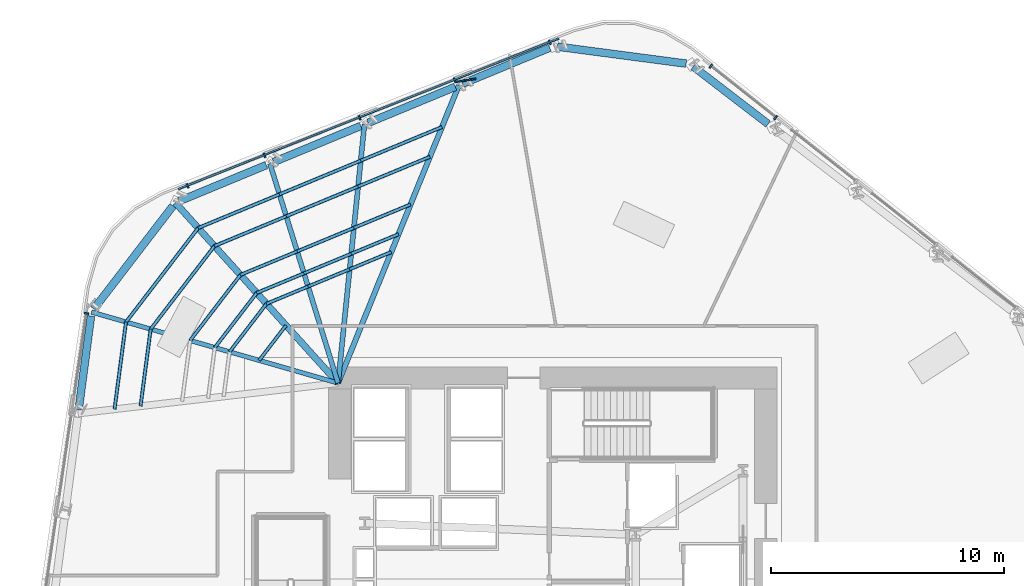
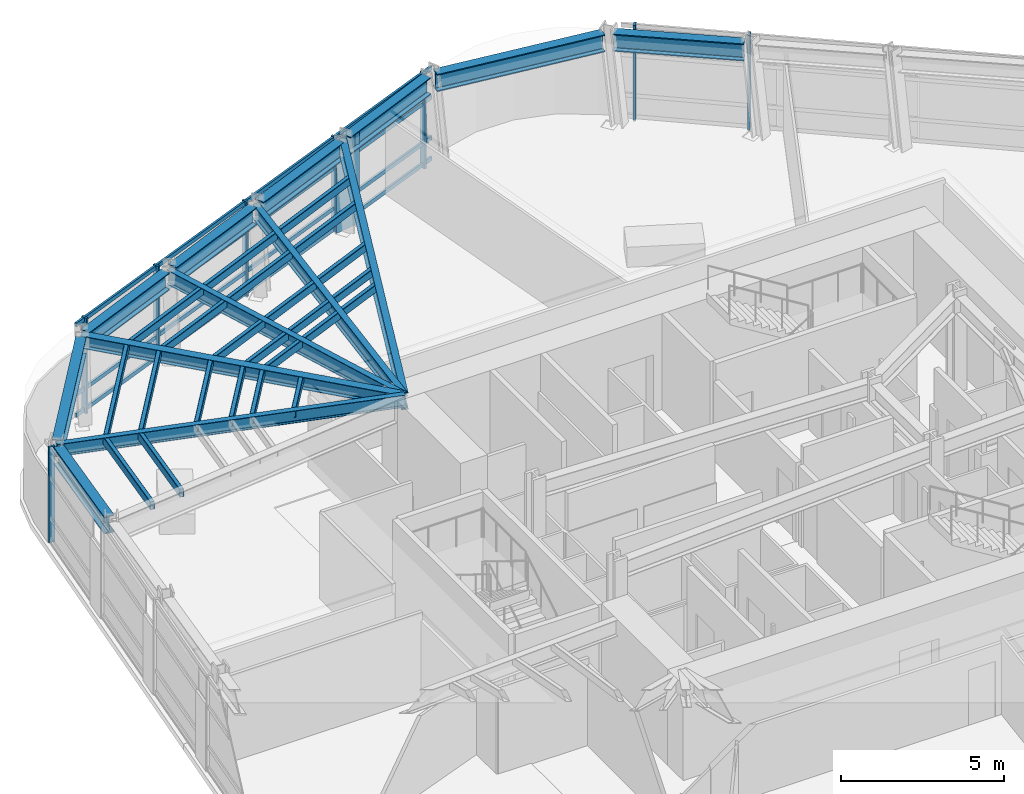
# One storey, part 5 of 17: 36 members, 13 beams, 3 elements without a shape of their own.
"""IFC4 building model written with IfcOpenShell, lengths in metres."""

from ifc_helpers import new_model, si_unit, direction, frame, origin, origin_2d, place, context, subcontext, project, spatial, rectangle, hollow_rectangle, i_section, extrude, material, layer, layer_set, material_profile, profile_set, type_object, element, aggregate, save


model = new_model("IFC4")

# Units and contexts
model_context = context("Model", 3, precision=1e-05, world=origin(), true_north=direction((0.0, 1.0)))
body_context = subcontext(model_context, "Body", "Model", "MODEL_VIEW")
ifc_project = project(units=[si_unit("LENGTHUNIT", "METRE"), si_unit("AREAUNIT", "SQUARE_METRE"), si_unit("VOLUMEUNIT", "CUBIC_METRE"), si_unit("PLANEANGLEUNIT", "RADIAN"), si_unit("MASSUNIT", "GRAM", prefix="KILO")], contexts=[model_context])

# Site, building, storey
site_placement = place(None, origin())
site = spatial("IfcSite", under=ifc_project, at=site_placement, CompositionType="ELEMENT")
building_placement = place(site_placement, origin())
building = spatial("IfcBuilding", under=site, at=building_placement, Name="Valkerne Bourse Tower", CompositionType="ELEMENT")
storey_placement = place(building_placement, frame((0.0, 0.0, 116.199951171875)))
storey = spatial("IfcBuildingStorey", under=building, at=storey_placement, Name="L29", CompositionType="ELEMENT", Elevation=116.199951171875)

# Beams
ifc_material_1 = material(Name="Steel ASTM A992", Category="steel")
ifc_material_profile_1 = material_profile(ifc_material_1, i_section(OverallWidth=0.1904296875, OverallDepth=0.457275390625, WebThickness=0.009033203125, FlangeThickness=0.014404296875, FilletRadius=0.01513671875, at=origin_2d()), Name="W18X50")
ifc_profile_set_1 = profile_set([ifc_material_profile_1], Name="Steel ASTM A992")
beam_type_1 = type_object("IfcBeamType", Name="BM-W18X50", PredefinedType="JOIST", material=ifc_profile_set_1)
beam_1_placement = place(storey_placement, frame((27.036865234375, 38.443603515625, 3.3515625), z_axis=(0.960905552378, -0.276876361234, 0.0), x_axis=(0.276876361234, 0.960905552378, 0.0)))
element("IfcBeam", 1, at=beam_1_placement, inside=storey, type_object=beam_type_1, Name="L29 Radial Composite Floor Beam 10", PredefinedType="JOIST", context=body_context, shape_type="SweptSolid", body=[
    extrude(i_section(OverallWidth=0.1904296875, OverallDepth=0.457275390625, WebThickness=0.009033203125, FlangeThickness=0.014404296875, FilletRadius=0.01513671875, at=origin_2d()), origin(), (0.0, 0.0, 1.0), 10.992919921875),
])
ifc_material_profile_2 = material_profile(ifc_material_1, i_section(OverallWidth=0.279296875, OverallDepth=0.46240234375, WebThickness=0.0107421875, FlangeThickness=0.017333984375, FilletRadius=0.017822265625, at=origin_2d()), Name="W18X76")
ifc_profile_set_2 = profile_set([ifc_material_profile_2], Name="Steel ASTM A992")
beam_type_2 = type_object("IfcBeamType", Name="BM-W18X76", PredefinedType="BEAM", material=ifc_profile_set_2)
beam_2_placement = place(storey_placement, frame((30.63134765625, 43.1279296875, 3.348876953125), z_axis=(0.669682520081, -0.742647508781, 0.0), x_axis=(0.742647508781, 0.669682520081, 0.0)))
element("IfcBeam", 2, at=beam_2_placement, inside=storey, type_object=beam_type_2, Name="L29 Radial Composite Floor Beam 09", PredefinedType="BEAM", context=body_context, shape_type="SweptSolid", body=[
    extrude(i_section(OverallWidth=0.279296875, OverallDepth=0.46240234375, WebThickness=0.0107421875, FlangeThickness=0.017333984375, FilletRadius=0.017822265625, at=origin_2d()), origin(), (0.0, 0.0, 1.0), 10.406005859375),
])
ifc_material_profile_3 = material_profile(ifc_material_1, i_section(OverallWidth=0.209228515625, OverallDepth=0.533447265625, WebThickness=0.01025390625, FlangeThickness=0.015625, FilletRadius=0.017822265625, at=origin_2d()), Name="W21X62")
ifc_profile_set_3 = profile_set([ifc_material_profile_3], Name="Steel ASTM A992")
beam_type_3 = type_object("IfcBeamType", Name="BM-W21X62", PredefinedType="JOIST", material=ifc_profile_set_3)
beam_3_placement = place(storey_placement, frame((34.6806640625, 44.80517578125, 3.313232421875), z_axis=(0.296450678605, -0.955048163788, 0.0), x_axis=(0.955048163788, 0.296450678605, 0.0)))
element("IfcBeam", 3, at=beam_3_placement, inside=storey, type_object=beam_type_3, Name="L29 Radial Composite Floor Beam 08", PredefinedType="JOIST", context=body_context, shape_type="SweptSolid", body=[
    extrude(i_section(OverallWidth=0.209228515625, OverallDepth=0.533447265625, WebThickness=0.01025390625, FlangeThickness=0.015625, FilletRadius=0.017822265625, at=origin_2d()), origin(), (0.0, 0.0, 1.0), 9.847900390625),
])
ifc_material_profile_4 = material_profile(ifc_material_1, i_section(OverallWidth=0.2138671875, OverallDepth=0.548583984375, WebThickness=0.0146484375, FlangeThickness=0.023681640625, FilletRadius=0.017822265625, at=origin_2d()), Name="W21X93")
ifc_profile_set_4 = profile_set([ifc_material_profile_4], Name="Steel ASTM A992")
beam_type_4 = type_object("IfcBeamType", Name="BM-W21X93", PredefinedType="BEAM", material=ifc_profile_set_4)
beam_4_placement = place(storey_placement, frame((38.72998046875, 46.482421875, 3.3056640625), z_axis=(-0.101426042729, -0.994843082027, 0.0), x_axis=(0.994843082027, -0.101426042729, 0.0)))
element("IfcBeam", 4, at=beam_4_placement, inside=storey, type_object=beam_type_4, Name="L29 Radial Composite Floor Beam 07", PredefinedType="BEAM", context=body_context, shape_type="SweptSolid", body=[
    extrude(i_section(OverallWidth=0.2138671875, OverallDepth=0.548583984375, WebThickness=0.0146484375, FlangeThickness=0.023681640625, FilletRadius=0.017822265625, at=origin_2d()), origin(), (0.0, 0.0, 1.0), 11.139892578125),
])
ifc_material_profile_5 = material_profile(ifc_material_1, i_section(OverallWidth=0.330078125, OverallDepth=0.647705078125, WebThickness=0.0205078125, FlangeThickness=0.037109375, FilletRadius=0.020263671875, at=origin_2d()), Name="W24X192")
ifc_profile_set_5 = profile_set([ifc_material_profile_5], Name="Steel ASTM A992")
beam_type_5 = type_object("IfcBeamType", Name="BM-W24X192", PredefinedType="SPANDREL", material=ifc_profile_set_5)
beam_5_placement = place(storey_placement, frame((56.025146484375, 46.501708984375, 3.25634765625), z_axis=(-0.793335100827, 0.608785198404, 0.0), x_axis=(-0.608785198404, -0.793335100827, 0.0)))
element("IfcBeam", 5, at=beam_5_placement, inside=storey, type_object=beam_type_5, Name="L29 Hexagonal Spandrel Ring Beam 03", PredefinedType="SPANDREL", context=body_context, shape_type="SweptSolid", body=[
    extrude(i_section(OverallWidth=0.330078125, OverallDepth=0.647705078125, WebThickness=0.0205078125, FlangeThickness=0.037109375, FilletRadius=0.020263671875, at=origin_2d()), origin(), (0.0, 0.0, 1.0), 4.042724609375),
])
beam_6_placement = place(storey_placement, frame((52.514404296875, 49.088623046875, 3.25634765625), z_axis=(-0.991445333406, 0.13052260673, 0.0), x_axis=(-0.13052260673, -0.991445333406, 0.0)))
element("IfcBeam", 6, at=beam_6_placement, inside=storey, type_object=beam_type_5, Name="L29 Hexagonal Spandrel Ring Beam 04", PredefinedType="SPANDREL", context=body_context, shape_type="SweptSolid", body=[
    extrude(i_section(OverallWidth=0.330078125, OverallDepth=0.647705078125, WebThickness=0.0205078125, FlangeThickness=0.037109375, FilletRadius=0.020263671875, at=origin_2d()), origin(), (0.0, 0.0, 1.0), 5.564697265625),
])
for number, where, z_axis, x_axis, name in (
    (7, (46.671630859375, 49.77197265625, 3.25634765625), (-0.923880670291, -0.382680685511, 0.0), (0.382680685511, -0.923880670291, 0.0), "L29 Hexagonal Spandrel Ring Beam 05"),
    (8, (42.622314453125, 48.0947265625, 3.25634765625), (-0.923880670291, -0.382680685511, 0.0), (0.382680685511, -0.923880670291, 0.0), "L29 Hexagonal Spandrel Ring Beam 06"),
    (9, (38.572998046875, 46.41748046875, 3.25634765625), (-0.923880670291, -0.382680685511, 0.0), (0.382680685511, -0.923880670291, 0.0), "L29 Hexagonal Spandrel Ring Beam 07"),
    (10, (34.523681640625, 44.739990234375, 3.25634765625), (-0.923902019709, -0.382629138955, 0.0), (0.382629138955, -0.923902019709, 0.0), "L29 Hexagonal Spandrel Ring Beam 08"),
):
    element("IfcBeam", number, at=place(storey_placement, frame(where, z_axis=z_axis, x_axis=x_axis)), inside=storey, type_object=beam_type_5, Name=name, PredefinedType="SPANDREL", context=body_context, shape_type="SweptSolid", body=[
        extrude(i_section(OverallWidth=0.330078125, OverallDepth=0.647705078125, WebThickness=0.0205078125, FlangeThickness=0.037109375, FilletRadius=0.020263671875, at=origin_2d()), origin(), (0.0, 0.0, 1.0), 4.042724609375),
    ])
beam_7_placement = place(storey_placement, frame((30.52783203125, 42.992919921875, 3.25634765625), z_axis=(-0.608766769905, -0.793349242049, 0.0), x_axis=(0.793349242049, -0.608766769905, 0.0)))
element("IfcBeam", 11, at=beam_7_placement, inside=storey, type_object=beam_type_5, Name="L29 Hexagonal Spandrel Ring Beam 09", PredefinedType="SPANDREL", context=body_context, shape_type="SweptSolid", body=[
    extrude(i_section(OverallWidth=0.330078125, OverallDepth=0.647705078125, WebThickness=0.0205078125, FlangeThickness=0.037109375, FilletRadius=0.020263671875, at=origin_2d()), origin(), (0.0, 0.0, 1.0), 5.564453125),
])
beam_8_placement = place(storey_placement, frame((27.0146484375, 38.27490234375, 3.25634765625), z_axis=(-0.130498251536, -0.991448539434, 0.0), x_axis=(0.991448539434, -0.130498251536, 0.0)))
element("IfcBeam", 12, at=beam_8_placement, inside=storey, type_object=beam_type_5, Name="L29 Hexagonal Spandrel Ring Beam 10", PredefinedType="SPANDREL", context=body_context, shape_type="SweptSolid", body=[
    extrude(i_section(OverallWidth=0.330078125, OverallDepth=0.647705078125, WebThickness=0.0205078125, FlangeThickness=0.037109375, FilletRadius=0.020263671875, at=origin_2d()), origin(), (0.0, 0.0, 1.0), 4.04296875),
])
ifc_material_profile_6 = material_profile(ifc_material_1, i_section(OverallWidth=0.228271484375, OverallDepth=0.607177734375, WebThickness=0.01123046875, FlangeThickness=0.017333984375, FilletRadius=0.017822265625, at=origin_2d()), Name="W24X76")
ifc_profile_set_6 = profile_set([ifc_material_profile_6], Name="Steel ASTM A992")
beam_type_6 = type_object("IfcBeamType", Name="BM-W24X76", PredefinedType="JOIST", material=ifc_profile_set_6)
beam_9_placement = place(storey_placement, frame((42.779296875, 48.159912109375, 3.2763671875), z_axis=(-0.376093134963, -0.926581865694, 0.0), x_axis=(0.926581865694, -0.376093134963, 0.0)))
element("IfcBeam", 13, at=beam_9_placement, inside=storey, type_object=beam_type_6, Name="L29 Radial Composite Floor Beam 06", PredefinedType="JOIST", context=body_context, shape_type="SweptSolid", body=[
    extrude(i_section(OverallWidth=0.228271484375, OverallDepth=0.607177734375, WebThickness=0.01123046875, FlangeThickness=0.017333984375, FilletRadius=0.017822265625, at=origin_2d()), origin(), (0.0, 0.0, 1.0), 13.77099609375),
])

# Curtain wall, members
ifc_material_2 = material(Name="Aluminium AA 6063-T6", Category="aluminium")
ifc_layer = layer(ifc_material_2, 0.22998046875)
ifc_layer_set = layer_set([ifc_layer], Name="Aluminium AA 6063-T6")
curtain_wall_type = type_object("IfcCurtainWallType", Name="CW-02", PredefinedType="NOTDEFINED", material=ifc_layer_set)
curtain_wall_1_placement = place(storey_placement, origin())
curtain_wall_1 = element("IfcCurtainWall", 14, at=curtain_wall_1_placement, inside=storey, type_object=curtain_wall_type, Name="L29 Hexagonal Stick Curtain Wall Face 1", PredefinedType="NOTDEFINED")
ifc_material_profile_7 = material_profile(ifc_material_2, rectangle(XDim=0.074951171875, YDim=0.199951171875, at=origin_2d()), Name="CWM-75X200")
ifc_profile_set_7 = profile_set([ifc_material_profile_7], Name="Aluminium AA 6063-T6")
member_type_1 = type_object("IfcMemberType", Name="CW-MUL-220X75", PredefinedType="MULLION", material=ifc_profile_set_7)
member_1_placement = place(storey_placement, frame((56.345703125, 46.776123046875, 0.0), z_axis=(0.0, 0.0, 1.0), x_axis=(-0.783698727371, 0.621141131078, 0.0)))
member_1 = element("IfcMember", 15, at=member_1_placement, type_object=member_type_1, Name="CW-L29-F1 Jamb Mullion 03A", PredefinedType="MULLION", context=body_context, shape_type="SweptSolid", body=[
    extrude(rectangle(XDim=0.074951171875, YDim=0.199951171875, at=origin_2d()), origin(), (0.0, 0.0, 1.0), 3.580078125),
])
member_2_placement = place(storey_placement, frame((53.569091796875, 48.976806640625, 0.0), z_axis=(0.0, 0.0, 1.0), x_axis=(-0.783698727371, 0.621141131078, 0.0)))
member_2 = element("IfcMember", 16, at=member_2_placement, type_object=member_type_1, Name="CW-L29-F1 Jamb Mullion 03B", PredefinedType="MULLION", context=body_context, shape_type="SweptSolid", body=[
    extrude(rectangle(XDim=0.074951171875, YDim=0.199951171875, at=origin_2d()), origin(), (0.0, 0.0, 1.0), 3.580078125),
])
aggregate(curtain_wall_1, [member_1, member_2])

curtain_wall_2_placement = place(storey_placement, origin())
curtain_wall_2 = element("IfcCurtainWall", 17, at=curtain_wall_2_placement, inside=storey, type_object=curtain_wall_type, Name="L29 Hexagonal Stick Curtain Wall Face 2", PredefinedType="NOTDEFINED")
member_3_placement = place(storey_placement, frame((46.671875, 49.995361328125, 0.0), z_axis=(0.0, 0.0, 1.0), x_axis=(-0.929783187694, -0.368107625404, 0.0)))
member_3 = element("IfcMember", 18, at=member_3_placement, type_object=member_type_1, Name="CW-L29-F2 Jamb Mullion 00A", PredefinedType="MULLION", context=body_context, shape_type="SweptSolid", body=[
    extrude(rectangle(XDim=0.074951171875, YDim=0.199951171875, at=origin_2d()), origin(), (0.0, 0.0, 1.0), 3.580078125),
])
member_4_placement = place(storey_placement, frame((42.5966796875, 48.3818359375, 0.0), z_axis=(0.0, 0.0, 1.0), x_axis=(-0.929775378666, -0.368127349196, 0.0)))
member_4 = element("IfcMember", 19, at=member_4_placement, type_object=member_type_1, Name="CW-L29-F2 Jamb Mullion 01A", PredefinedType="MULLION", context=body_context, shape_type="SweptSolid", body=[
    extrude(rectangle(XDim=0.074951171875, YDim=0.199951171875, at=origin_2d()), origin(), (0.0, 0.0, 1.0), 3.580078125),
])
member_5_placement = place(storey_placement, frame((38.521484375, 46.768310546875, 0.0), z_axis=(0.0, 0.0, 1.0), x_axis=(-0.929775378666, -0.368127349196, 0.0)))
member_5 = element("IfcMember", 20, at=member_5_placement, type_object=member_type_1, Name="CW-L29-F2 Jamb Mullion 02A", PredefinedType="MULLION", context=body_context, shape_type="SweptSolid", body=[
    extrude(rectangle(XDim=0.074951171875, YDim=0.199951171875, at=origin_2d()), origin(), (0.0, 0.0, 1.0), 3.580078125),
])
member_6_placement = place(storey_placement, frame((34.4462890625, 45.15478515625, 0.0), z_axis=(0.0, 0.0, 1.0), x_axis=(-0.929775378666, -0.368127349196, 0.0)))
member_6 = element("IfcMember", 21, at=member_6_placement, type_object=member_type_1, Name="CW-L29-F2 Jamb Mullion 03A", PredefinedType="MULLION", context=body_context, shape_type="SweptSolid", body=[
    extrude(rectangle(XDim=0.074951171875, YDim=0.199951171875, at=origin_2d()), origin(), (0.0, 0.0, 1.0), 3.580078125),
])
member_7_placement = place(storey_placement, frame((31.152099609375, 43.8505859375, 0.0), z_axis=(0.0, 0.0, 1.0), x_axis=(-0.929775378666, -0.368127349196, 0.0)))
member_7 = element("IfcMember", 22, at=member_7_placement, type_object=member_type_1, Name="CW-L29-F2 Jamb Mullion 03B", PredefinedType="MULLION", context=body_context, shape_type="SweptSolid", body=[
    extrude(rectangle(XDim=0.074951171875, YDim=0.199951171875, at=origin_2d()), origin(), (0.0, 0.0, 1.0), 3.580078125),
])

# Curtain wall, member
curtain_wall_3_placement = place(storey_placement, origin())
curtain_wall_3 = element("IfcCurtainWall", 23, at=curtain_wall_3_placement, inside=storey, type_object=curtain_wall_type, Name="L29 Hexagonal Stick Curtain Wall Face 3", PredefinedType="NOTDEFINED")
member_8_placement = place(storey_placement, frame((26.8212890625, 38.38671875, 0.0), z_axis=(0.0, 0.0, 1.0), x_axis=(-0.146086428352, -0.98927183092, 0.0)))
member_8 = element("IfcMember", 24, at=member_8_placement, type_object=member_type_1, Name="CW-L29-F3 Jamb Mullion 00A", PredefinedType="MULLION", context=body_context, shape_type="SweptSolid", body=[
    extrude(rectangle(XDim=0.074951171875, YDim=0.199951171875, at=origin_2d()), origin(), (0.0, 0.0, 1.0), 3.580078125),
])
aggregate(curtain_wall_3, [member_8])

# Member
ifc_material_profile_8 = material_profile(ifc_material_2, rectangle(XDim=0.074951171875, YDim=0.14990234375, at=origin_2d()), Name="CWT-75X150")
ifc_profile_set_8 = profile_set([ifc_material_profile_8], Name="Aluminium AA 6063-T6")
member_type_2 = type_object("IfcMemberType", Name="CW-TRN-180X65", PredefinedType="USERDEFINED", material=ifc_profile_set_8)
member_9_placement = place(storey_placement, frame((47.054931640625, 50.16845703125, 0.1201171875), z_axis=(-0.929778017262, -0.368120684854, 0.0), x_axis=(0.368120684854, -0.929778017262, 0.0)))
member_9 = element("IfcMember", 25, at=member_9_placement, type_object=member_type_2, Name="CW-L29-F2 Continuous Face Transom 1", ObjectType="TRANSOM", PredefinedType="USERDEFINED", context=body_context, shape_type="SweptSolid", body=[
    extrude(rectangle(XDim=0.074951171875, YDim=0.14990234375, at=origin_2d()), origin(), (0.0, 0.0, 1.0), 17.531982421875),
])

member_10_placement = place(storey_placement, frame((47.054931640625, 50.16845703125, 0.900146484375), z_axis=(-0.929778017262, -0.368120684854, 0.0), x_axis=(0.368120684854, -0.929778017262, 0.0)))
member_10 = element("IfcMember", 26, at=member_10_placement, type_object=member_type_2, Name="CW-L29-F2 Continuous Face Transom 2", ObjectType="TRANSOM", PredefinedType="USERDEFINED", context=body_context, shape_type="SweptSolid", body=[
    extrude(rectangle(XDim=0.074951171875, YDim=0.14990234375, at=origin_2d()), origin(), (0.0, 0.0, 1.0), 17.531982421875),
])

member_11_placement = place(storey_placement, frame((47.054931640625, 50.16845703125, 2.400146484375), z_axis=(-0.929778017262, -0.368120684854, 0.0), x_axis=(0.368120684854, -0.929778017262, 0.0)))
member_11 = element("IfcMember", 27, at=member_11_placement, type_object=member_type_2, Name="CW-L29-F2 Continuous Face Transom 3", ObjectType="TRANSOM", PredefinedType="USERDEFINED", context=body_context, shape_type="SweptSolid", body=[
    extrude(rectangle(XDim=0.074951171875, YDim=0.14990234375, at=origin_2d()), origin(), (0.0, 0.0, 1.0), 17.531982421875),
])

member_12_placement = place(storey_placement, frame((47.054931640625, 50.16845703125, 3.5), z_axis=(-0.929778017262, -0.368120684854, 0.0), x_axis=(0.368120684854, -0.929778017262, 0.0)))
member_12 = element("IfcMember", 28, at=member_12_placement, type_object=member_type_2, Name="CW-L29-F2 Continuous Face Transom 4", ObjectType="TRANSOM", PredefinedType="USERDEFINED", context=body_context, shape_type="SweptSolid", body=[
    extrude(rectangle(XDim=0.074951171875, YDim=0.14990234375, at=origin_2d()), origin(), (0.0, 0.0, 1.0), 17.531982421875),
])

aggregate(curtain_wall_2, [member_9, member_10, member_11, member_12, member_3, member_4, member_5, member_6, member_7])

# Members
ifc_material_3 = material(Name="Bronze Anodised Aluminium AA 6063-T6", Category="aluminium")
ifc_material_profile_9 = material_profile(ifc_material_3, rectangle(XDim=0.070068359375, YDim=0.89990234375, at=origin_2d()), Name="FIN-70X900")
ifc_profile_set_9 = profile_set([ifc_material_profile_9], Name="Bronze Anodised Aluminium AA 6063-T6")
member_type_3 = type_object("IfcMemberType", Name="FIN-SOLAR-900", PredefinedType="USERDEFINED", material=ifc_profile_set_9)
member_13_placement = place(storey_placement, frame((43.053466796875, 48.369140625, 0.004150390625), z_axis=(0.0, 0.0, 1.0), x_axis=(-0.154736913127, 0.987955711414, 0.0)))
element("IfcMember", 29, at=member_13_placement, inside=storey, type_object=member_type_3, Name="L29 Bronze Anodised Solar Fin F2-01", ObjectType="SOLAR_FIN", PredefinedType="USERDEFINED", context=body_context, shape_type="SweptSolid", body=[
    extrude(rectangle(XDim=0.070068359375, YDim=0.89990234375, at=origin_2d()), origin(), (0.0, 0.0, 1.0), 3.57177734375),
])
ifc_material_4 = material(Name="Steel ASTM A500 Grade C", Category="steel")
ifc_material_profile_10 = material_profile(ifc_material_4, hollow_rectangle(XDim=0.14990234375, YDim=0.300048828125, WallThickness=0.012451171875, OuterFilletRadius=0.02490234375, at=origin_2d()), Name="HSS300X150X12.5")
ifc_profile_set_10 = profile_set([ifc_material_profile_10], Name="Steel ASTM A500 Grade C")
member_type_4 = type_object("IfcMemberType", Name="MBR-HSS300X150X12.5", PredefinedType="PURLIN", material=ifc_profile_set_10)
member_14_placement = place(storey_placement, frame((35.3701171875, 37.872802734375, 3.420166015625), z_axis=(-0.608811221068, -0.793315131018, 0.0), x_axis=(0.793315131018, -0.608811221068, 0.0)))
element("IfcMember", 30, at=member_14_placement, inside=storey, type_object=member_type_4, Name="L29 Secondary Composite Floor Purlin I-09", PredefinedType="PURLIN", context=body_context, shape_type="SweptSolid", body=[
    extrude(hollow_rectangle(XDim=0.14990234375, YDim=0.300048828125, WallThickness=0.012451171875, OuterFilletRadius=0.02490234375, at=origin_2d()), origin(), (0.0, 0.0, 1.0), 1.8896484375),
])
for number, where, z_axis, x_axis, name in (
    (31, (39.87890625, 41.014404296875, 3.420166015625), (-0.92387642534, -0.382690933654, 0.0), (0.382690933654, -0.92387642534, 0.0), "L29 Secondary Composite Floor Purlin K-06"),
    (32, (38.09716796875, 40.2763671875, 3.420166015625), (-0.92387642534, -0.382690933654, 0.0), (0.382690933654, -0.92387642534, 0.0), "L29 Secondary Composite Floor Purlin K-07"),
    (33, (36.3154296875, 39.538330078125, 3.420166015625), (-0.92387642534, -0.382690933654, 0.0), (0.382690933654, -0.92387642534, 0.0), "L29 Secondary Composite Floor Purlin K-08"),
):
    element("IfcMember", number, at=place(storey_placement, frame(where, z_axis=z_axis, x_axis=x_axis)), inside=storey, type_object=member_type_4, Name=name, PredefinedType="PURLIN", context=body_context, shape_type="SweptSolid", body=[
        extrude(hollow_rectangle(XDim=0.14990234375, YDim=0.300048828125, WallThickness=0.012451171875, OuterFilletRadius=0.02490234375, at=origin_2d()), origin(), (0.0, 0.0, 1.0), 1.928466796875),
    ])
member_15_placement = place(storey_placement, frame((34.53369140625, 38.80029296875, 3.420166015625), z_axis=(-0.60872938625, -0.793377926537, 0.0), x_axis=(0.793377926537, -0.60872938625, 0.0)))
element("IfcMember", 34, at=member_15_placement, inside=storey, type_object=member_type_4, Name="L29 Secondary Composite Floor Purlin K-09", PredefinedType="PURLIN", context=body_context, shape_type="SweptSolid", body=[
    extrude(hollow_rectangle(XDim=0.14990234375, YDim=0.300048828125, WallThickness=0.012451171875, OuterFilletRadius=0.02490234375, at=origin_2d()), origin(), (0.0, 0.0, 1.0), 2.59814453125),
])
for number, where, z_axis, x_axis, name in (
    (35, (40.189697265625, 41.77978515625, 3.420166015625), (-0.923882410649, -0.382676483851, 0.0), (0.382676483851, -0.923882410649, 0.0), "L29 Secondary Composite Floor Purlin M-06"),
    (36, (38.1650390625, 40.941162109375, 3.420166015625), (-0.923882410649, -0.382676483851, 0.0), (0.382676483851, -0.923882410649, 0.0), "L29 Secondary Composite Floor Purlin M-07"),
    (37, (36.140380859375, 40.1025390625, 3.420166015625), (-0.923882410649, -0.382676483851, 0.0), (0.382676483851, -0.923882410649, 0.0), "L29 Secondary Composite Floor Purlin M-08"),
):
    element("IfcMember", number, at=place(storey_placement, frame(where, z_axis=z_axis, x_axis=x_axis)), inside=storey, type_object=member_type_4, Name=name, PredefinedType="PURLIN", context=body_context, shape_type="SweptSolid", body=[
        extrude(hollow_rectangle(XDim=0.14990234375, YDim=0.300048828125, WallThickness=0.012451171875, OuterFilletRadius=0.02490234375, at=origin_2d()), origin(), (0.0, 0.0, 1.0), 2.19140625),
    ])
member_16_placement = place(storey_placement, frame((34.11572265625, 39.263916015625, 3.420166015625), z_axis=(-0.608815154122, -0.793312112672, 0.0), x_axis=(0.793312112672, -0.608815154122, 0.0)))
element("IfcMember", 38, at=member_16_placement, inside=storey, type_object=member_type_4, Name="L29 Secondary Composite Floor Purlin M-09", PredefinedType="PURLIN", context=body_context, shape_type="SweptSolid", body=[
    extrude(hollow_rectangle(XDim=0.14990234375, YDim=0.300048828125, WallThickness=0.012451171875, OuterFilletRadius=0.02490234375, at=origin_2d()), origin(), (0.0, 0.0, 1.0), 2.9521484375),
])
member_17_placement = place(storey_placement, frame((41.536376953125, 45.097412109375, 3.420166015625), z_axis=(-0.923883729276, -0.382673300321, 0.0), x_axis=(0.382673300321, -0.923883729276, 0.0)))
element("IfcMember", 39, at=member_17_placement, inside=storey, type_object=member_type_4, Name="L29 Secondary Composite Floor Purlin O-06", PredefinedType="PURLIN", context=body_context, shape_type="SweptSolid", body=[
    extrude(hollow_rectangle(XDim=0.14990234375, YDim=0.300048828125, WallThickness=0.012451171875, OuterFilletRadius=0.02490234375, at=origin_2d()), origin(), (0.0, 0.0, 1.0), 3.330810546875),
])
for number, where, z_axis, x_axis, name in (
    (40, (38.458984375, 43.82275390625, 3.420166015625), (-0.923894461425, -0.382647388791, 0.0), (0.382647388791, -0.923894461425, 0.0), "L29 Secondary Composite Floor Purlin O-07"),
    (41, (35.38134765625, 42.548095703125, 3.420166015625), (-0.92385781475, -0.382735859471, 0.0), (0.382735859471, -0.92385781475, 0.0), "L29 Secondary Composite Floor Purlin O-08"),
):
    element("IfcMember", number, at=place(storey_placement, frame(where, z_axis=z_axis, x_axis=x_axis)), inside=storey, type_object=member_type_4, Name=name, PredefinedType="PURLIN", context=body_context, shape_type="SweptSolid", body=[
        extrude(hollow_rectangle(XDim=0.14990234375, YDim=0.300048828125, WallThickness=0.012451171875, OuterFilletRadius=0.02490234375, at=origin_2d()), origin(), (0.0, 0.0, 1.0), 3.3310546875),
    ])
member_18_placement = place(storey_placement, frame((32.303955078125, 41.273193359375, 3.420166015625), z_axis=(-0.60879011943, -0.793331324533, 0.0), x_axis=(0.793331324533, -0.60879011943, 0.0)))
element("IfcMember", 42, at=member_18_placement, inside=storey, type_object=member_type_4, Name="L29 Secondary Composite Floor Purlin O-09", PredefinedType="PURLIN", context=body_context, shape_type="SweptSolid", body=[
    extrude(hollow_rectangle(XDim=0.14990234375, YDim=0.300048828125, WallThickness=0.012451171875, OuterFilletRadius=0.02490234375, at=origin_2d()), origin(), (0.0, 0.0, 1.0), 4.487548828125),
])
member_19_placement = place(storey_placement, frame((29.572021484375, 37.713134765625, 3.420166015625), z_axis=(-0.130526553329, -0.991444813833, 0.0), x_axis=(0.991444813833, -0.130526553329, 0.0)))
element("IfcMember", 43, at=member_19_placement, inside=storey, type_object=member_type_4, Name="L29 Secondary Composite Floor Purlin O-10", PredefinedType="PURLIN", context=body_context, shape_type="SweptSolid", body=[
    extrude(hollow_rectangle(XDim=0.14990234375, YDim=0.300048828125, WallThickness=0.012451171875, OuterFilletRadius=0.02490234375, at=origin_2d()), origin(), (0.0, 0.0, 1.0), 3.331298828125),
])
member_20_placement = place(storey_placement, frame((40.70751953125, 43.055908203125, 3.420166015625), z_axis=(-0.923874252867, -0.382696178305, 0.0), x_axis=(0.382696178305, -0.923874252867, 0.0)))
element("IfcMember", 44, at=member_20_placement, inside=storey, type_object=member_type_4, Name="L29 Secondary Composite Floor Purlin Z-06", PredefinedType="PURLIN", context=body_context, shape_type="SweptSolid", body=[
    extrude(hollow_rectangle(XDim=0.14990234375, YDim=0.300048828125, WallThickness=0.012451171875, OuterFilletRadius=0.02490234375, at=origin_2d()), origin(), (0.0, 0.0, 1.0), 2.629638671875),
])
for number, where, z_axis, x_axis, name in (
    (45, (38.278076171875, 42.049560546875, 3.420166015625), (-0.923887848471, -0.382663355245, 0.0), (0.382663355245, -0.923887848471, 0.0), "L29 Secondary Composite Floor Purlin Z-07"),
    (46, (35.848388671875, 41.043212890625, 3.420166015625), (-0.923855025752, -0.382742591557, 0.0), (0.382742591557, -0.923855025752, 0.0), "L29 Secondary Composite Floor Purlin Z-08"),
):
    element("IfcMember", number, at=place(storey_placement, frame(where, z_axis=z_axis, x_axis=x_axis)), inside=storey, type_object=member_type_4, Name=name, PredefinedType="PURLIN", context=body_context, shape_type="SweptSolid", body=[
        extrude(hollow_rectangle(XDim=0.14990234375, YDim=0.300048828125, WallThickness=0.012451171875, OuterFilletRadius=0.02490234375, at=origin_2d()), origin(), (0.0, 0.0, 1.0), 2.6298828125),
    ])
member_21_placement = place(storey_placement, frame((33.418701171875, 40.03662109375, 3.420166015625), z_axis=(-0.608741116068, -0.793368926546, 0.0), x_axis=(0.793368926546, -0.608741116068, 0.0)))
element("IfcMember", 47, at=member_21_placement, inside=storey, type_object=member_type_4, Name="L29 Secondary Composite Floor Purlin Z-09", PredefinedType="PURLIN", context=body_context, shape_type="SweptSolid", body=[
    extrude(hollow_rectangle(XDim=0.14990234375, YDim=0.300048828125, WallThickness=0.012451171875, OuterFilletRadius=0.02490234375, at=origin_2d()), origin(), (0.0, 0.0, 1.0), 3.54248046875),
])
member_22_placement = place(storey_placement, frame((42.05419921875, 46.373291015625, 3.420166015625), z_axis=(-0.923877884534, -0.382687410911, 0.0), x_axis=(0.382687410911, -0.923877884534, 0.0)))
element("IfcMember", 48, at=member_22_placement, inside=storey, type_object=member_type_4, Name="L29 Secondary Composite Floor Purlin T-06", PredefinedType="PURLIN", context=body_context, shape_type="SweptSolid", body=[
    extrude(hollow_rectangle(XDim=0.14990234375, YDim=0.300048828125, WallThickness=0.012451171875, OuterFilletRadius=0.02490234375, at=origin_2d()), origin(), (0.0, 0.0, 1.0), 3.76904296875),
])
member_23_placement = place(storey_placement, frame((38.572021484375, 44.930908203125, 3.420166015625), z_axis=(-0.923896853518, -0.38264161308, 0.0), x_axis=(0.38264161308, -0.923896853518, 0.0)))
element("IfcMember", 49, at=member_23_placement, inside=storey, type_object=member_type_4, Name="L29 Secondary Composite Floor Purlin T-07", PredefinedType="PURLIN", context=body_context, shape_type="SweptSolid", body=[
    extrude(hollow_rectangle(XDim=0.14990234375, YDim=0.300048828125, WallThickness=0.012451171875, OuterFilletRadius=0.02490234375, at=origin_2d()), origin(), (0.0, 0.0, 1.0), 3.76953125),
])
member_24_placement = place(storey_placement, frame((35.08935546875, 43.488525390625, 3.420166015625), z_axis=(-0.923864469875, -0.382719794762, 0.0), x_axis=(0.382719794762, -0.923864469875, 0.0)))
element("IfcMember", 50, at=member_24_placement, inside=storey, type_object=member_type_4, Name="L29 Secondary Composite Floor Purlin T-08", PredefinedType="PURLIN", context=body_context, shape_type="SweptSolid", body=[
    extrude(hollow_rectangle(XDim=0.14990234375, YDim=0.300048828125, WallThickness=0.012451171875, OuterFilletRadius=0.02490234375, at=origin_2d()), origin(), (0.0, 0.0, 1.0), 3.769287109375),
])
member_25_placement = place(storey_placement, frame((31.60693359375, 42.0458984375, 3.420166015625), z_axis=(-0.608771638203, -0.793345506396, 0.0), x_axis=(0.793345506396, -0.608771638203, 0.0)))
element("IfcMember", 51, at=member_25_placement, inside=storey, type_object=member_type_4, Name="L29 Secondary Composite Floor Purlin T-09", PredefinedType="PURLIN", context=body_context, shape_type="SweptSolid", body=[
    extrude(hollow_rectangle(XDim=0.14990234375, YDim=0.300048828125, WallThickness=0.012451171875, OuterFilletRadius=0.02490234375, at=origin_2d()), origin(), (0.0, 0.0, 1.0), 5.077880859375),
])
member_26_placement = place(storey_placement, frame((28.515625, 38.017333984375, 3.420166015625), z_axis=(-0.130513154385, -0.99144657775, 0.0), x_axis=(0.99144657775, -0.130513154385, 0.0)))
element("IfcMember", 52, at=member_26_placement, inside=storey, type_object=member_type_4, Name="L29 Secondary Composite Floor Purlin T-10", PredefinedType="PURLIN", context=body_context, shape_type="SweptSolid", body=[
    extrude(hollow_rectangle(XDim=0.14990234375, YDim=0.300048828125, WallThickness=0.012451171875, OuterFilletRadius=0.02490234375, at=origin_2d()), origin(), (0.0, 0.0, 1.0), 3.769287109375),
])

save(model, "model.ifc")
